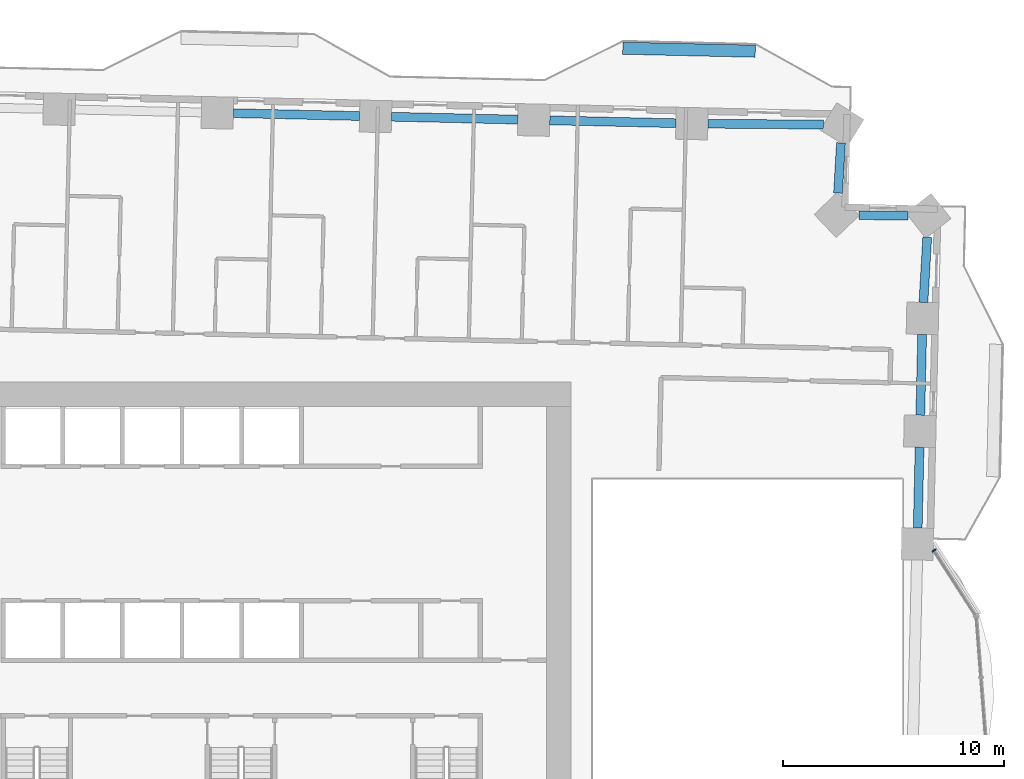
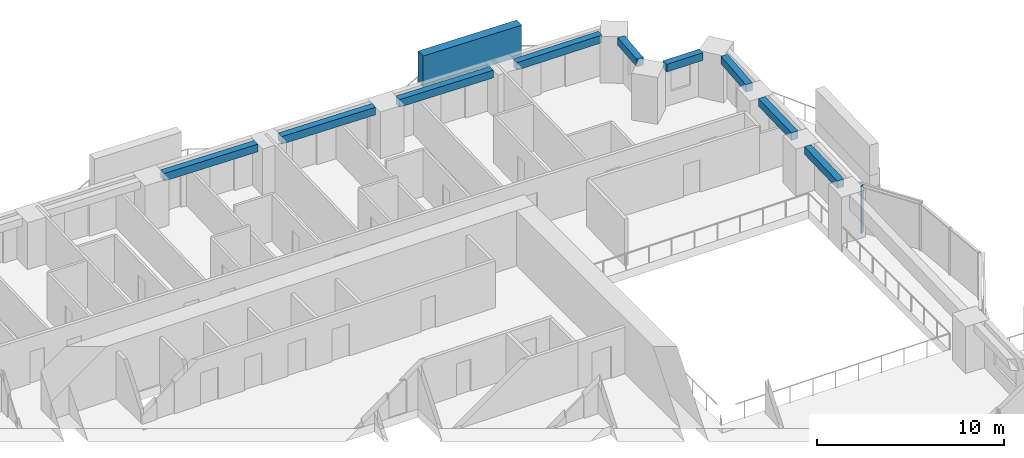
# One storey, part 4 of 18: 9 beams, 2 members, 1 element without a shape of its own.
"""IFC4 building model written with IfcOpenShell, lengths in metres."""

from ifc_helpers import new_model, si_unit, direction, frame, origin, origin_2d, place, context, subcontext, project, spatial, rectangle, extrude, material, material_profile, profile_set, type_object, element, aggregate, save


model = new_model("IFC4")

# Units and contexts
model_context = context("Model", 3, precision=1e-05, world=origin(), true_north=direction((0.0, 1.0)))
body_context = subcontext(model_context, "Body", "Model", "MODEL_VIEW")
ifc_project = project(units=[si_unit("LENGTHUNIT", "METRE"), si_unit("AREAUNIT", "SQUARE_METRE"), si_unit("VOLUMEUNIT", "CUBIC_METRE"), si_unit("PLANEANGLEUNIT", "RADIAN"), si_unit("MASSUNIT", "GRAM", prefix="KILO")], contexts=[model_context])

# Site, building, storey
site_placement = place(None, origin())
site = spatial("IfcSite", under=ifc_project, at=site_placement, CompositionType="ELEMENT")
building_placement = place(site_placement, origin())
building = spatial("IfcBuilding", under=site, at=building_placement, Name="Mangrove Gate Tower", CompositionType="ELEMENT")
storey_placement = place(building_placement, frame((0.0, 0.0, 67.5)))
storey = spatial("IfcBuildingStorey", under=building, at=storey_placement, Name="L16", CompositionType="ELEMENT", Elevation=67.5)

# Curtain wall, member
ifc_material_1 = material(Name="Aluminium and glass curtain wall", Category="aluminium")
curtain_wall_type = type_object("IfcCurtainWallType", Name="Atrium garden-court glazing wall", PredefinedType="NOTDEFINED", material=ifc_material_1)
curtain_wall_placement = place(storey_placement, origin())
curtain_wall = element("IfcCurtainWall", 1, at=curtain_wall_placement, inside=storey, type_object=curtain_wall_type, Name="Atrium garden-court glazing E1f3", PredefinedType="NOTDEFINED")
ifc_material_2 = material(Name="Aluminium alloy 6063-T6", Category="aluminium")
ifc_material_profile_1 = material_profile(ifc_material_2, rectangle(XDim=0.070068359375, YDim=0.199951171875, at=origin_2d()))
ifc_profile_set_1 = profile_set([ifc_material_profile_1], Name="Aluminium alloy 6063-T6")
member_type_1 = type_object("IfcMemberType", Name="Atrium garden-court glazing mullion 70x200", PredefinedType="MULLION", material=ifc_profile_set_1)
member_1_placement = place(storey_placement, frame((31.33935546875, 4.2783203125, 0.0), z_axis=(0.0, 0.0, 1.0), x_axis=(-0.540524576597, 0.841328224948, 0.0)))
member_1 = element("IfcMember", 2, at=member_1_placement, type_object=member_type_1, Name="CWA mullion 2", PredefinedType="MULLION", context=body_context, shape_type="SweptSolid", body=[
    extrude(rectangle(XDim=0.070068359375, YDim=0.199951171875, at=origin_2d()), origin(), (0.0, 0.0, 1.0), 3.050048828125),
])
aggregate(curtain_wall, [member_1])

# Member
ifc_material_3 = material(Name="Planting on aluminium trellis", Category="aluminium")
ifc_material_profile_2 = material_profile(ifc_material_3, rectangle(XDim=0.550048828125, YDim=2.0, at=origin_2d()))
ifc_profile_set_2 = profile_set([ifc_material_profile_2], Name="Planting on aluminium trellis")
member_type_2 = type_object("IfcMemberType", Name="Balcony greenery screen 550x2000", PredefinedType="USERDEFINED", material=ifc_profile_set_2)
member_2_placement = place(storey_placement, frame((17.2548828125, 27.01708984375, 1.800048828125), z_axis=(0.999743094499, -0.022665943652, 0.0), x_axis=(0.022665943652, 0.999743094499, 0.0)))
element("IfcMember", 3, at=member_2_placement, inside=storey, type_object=member_type_2, Name="GREEN SCREEN L16 N0.1", ObjectType="PLANTING", PredefinedType="USERDEFINED", context=body_context, shape_type="SweptSolid", body=[
    extrude(rectangle(XDim=0.550048828125, YDim=2.0, at=origin_2d()), origin(), (0.0, 0.0, 1.0), 5.99951171875),
])

# Beams
ifc_material_4 = material(Name="Concrete C50/60", Category="concrete")
ifc_material_profile_3 = material_profile(ifc_material_4, rectangle(XDim=0.39990234375, YDim=0.5, at=origin_2d()))
ifc_profile_set_3 = profile_set([ifc_material_profile_3], Name="Concrete C50/60")
beam_type = type_object("IfcBeamType", Name="Edge beam RC 400x500 C50/60", PredefinedType="BEAM", material=ifc_profile_set_3)
beam_1_placement = place(storey_placement, frame((30.607666015625, 5.294189453125, 2.800048828125), z_axis=(0.022689571451, 0.999742558536, 0.0), x_axis=(-0.999742558536, 0.022689571451, 0.0)))
element("IfcBeam", 4, at=beam_1_placement, inside=storey, type_object=beam_type, Name="Edge beam L16 17", PredefinedType="BEAM", context=body_context, shape_type="SweptSolid", body=[
    extrude(rectangle(XDim=0.39990234375, YDim=0.5, at=origin_2d()), origin(), (0.0, 0.0, 1.0), 3.658447265625),
])
beam_2_placement = place(storey_placement, frame((30.7236328125, 10.4013671875, 2.800048828125), z_axis=(0.022691085328, 0.999742524176, 0.0), x_axis=(-0.999742524176, 0.022691085328, 0.0)))
element("IfcBeam", 5, at=beam_2_placement, inside=storey, type_object=beam_type, Name="Edge beam L16 18", PredefinedType="BEAM", context=body_context, shape_type="SweptSolid", body=[
    extrude(rectangle(XDim=0.39990234375, YDim=0.5, at=origin_2d()), origin(), (0.0, 0.0, 1.0), 3.658203125),
])
beam_3_placement = place(storey_placement, frame((30.865478515625, 15.5078125, 2.800048828125), z_axis=(0.058131471551, 0.998308936159, 0.0), x_axis=(-0.998308936159, 0.058131471551, 0.0)))
element("IfcBeam", 6, at=beam_3_placement, inside=storey, type_object=beam_type, Name="Edge beam L16 19", PredefinedType="BEAM", context=body_context, shape_type="SweptSolid", body=[
    extrude(rectangle(XDim=0.39990234375, YDim=0.5, at=origin_2d()), origin(), (0.0, 0.0, 1.0), 2.95654296875),
])
beam_4_placement = place(storey_placement, frame((30.16455078125, 19.43505859375, 2.800048828125), z_axis=(-0.999947273527, 0.010268893158, 0.0), x_axis=(-0.010268893158, -0.999947273527, 0.0)))
element("IfcBeam", 7, at=beam_4_placement, inside=storey, type_object=beam_type, Name="Edge beam L16 20", PredefinedType="BEAM", context=body_context, shape_type="SweptSolid", body=[
    extrude(rectangle(XDim=0.39990234375, YDim=0.5, at=origin_2d()), origin(), (0.0, 0.0, 1.0), 2.2109375),
])
beam_5_placement = place(storey_placement, frame((26.99853515625, 20.45703125, 2.800048828125), z_axis=(0.058256613778, 0.998301641264, 0.0), x_axis=(-0.998301641264, 0.058256613778, 0.0)))
element("IfcBeam", 8, at=beam_5_placement, inside=storey, type_object=beam_type, Name="Edge beam L16 21", PredefinedType="BEAM", context=body_context, shape_type="SweptSolid", body=[
    extrude(rectangle(XDim=0.39990234375, YDim=0.5, at=origin_2d()), origin(), (0.0, 0.0, 1.0), 2.275634765625),
])
beam_6_placement = place(storey_placement, frame((26.331298828125, 23.557861328125, 2.800048828125), z_axis=(-0.999968424917, 0.007946645112, 0.0), x_axis=(-0.007946645112, -0.999968424917, 0.0)))
element("IfcBeam", 9, at=beam_6_placement, inside=storey, type_object=beam_type, Name="Edge beam L16 22", PredefinedType="BEAM", context=body_context, shape_type="SweptSolid", body=[
    extrude(rectangle(XDim=0.39990234375, YDim=0.5, at=origin_2d()), origin(), (0.0, 0.0, 1.0), 5.222900390625),
])
beam_7_placement = place(storey_placement, frame((19.65869140625, 23.62158203125, 2.800048828125), z_axis=(-0.999740465629, 0.022781601889, 0.0), x_axis=(-0.022781601889, -0.999740465629, 0.0)))
element("IfcBeam", 10, at=beam_7_placement, inside=storey, type_object=beam_type, Name="Edge beam L16 23", PredefinedType="BEAM", context=body_context, shape_type="SweptSolid", body=[
    extrude(rectangle(XDim=0.39990234375, YDim=0.5, at=origin_2d()), origin(), (0.0, 0.0, 1.0), 5.7119140625),
])
beam_8_placement = place(storey_placement, frame((12.498779296875, 23.78466796875, 2.800048828125), z_axis=(-0.999744432359, 0.022606856661, 0.0), x_axis=(-0.022606856661, -0.999744432359, 0.0)))
element("IfcBeam", 11, at=beam_8_placement, inside=storey, type_object=beam_type, Name="Edge beam L16 24", PredefinedType="BEAM", context=body_context, shape_type="SweptSolid", body=[
    extrude(rectangle(XDim=0.39990234375, YDim=0.5, at=origin_2d()), origin(), (0.0, 0.0, 1.0), 5.712890625),
])
beam_9_placement = place(storey_placement, frame((5.337646484375, 23.94677734375, 2.800048828125), z_axis=(-0.999741416099, 0.022739853494, 0.0), x_axis=(-0.022739853494, -0.999741416099, 0.0)))
element("IfcBeam", 12, at=beam_9_placement, inside=storey, type_object=beam_type, Name="Edge beam L16 25", PredefinedType="BEAM", context=body_context, shape_type="SweptSolid", body=[
    extrude(rectangle(XDim=0.39990234375, YDim=0.5, at=origin_2d()), origin(), (0.0, 0.0, 1.0), 5.711669921875),
])

save(model, "model.ifc")
